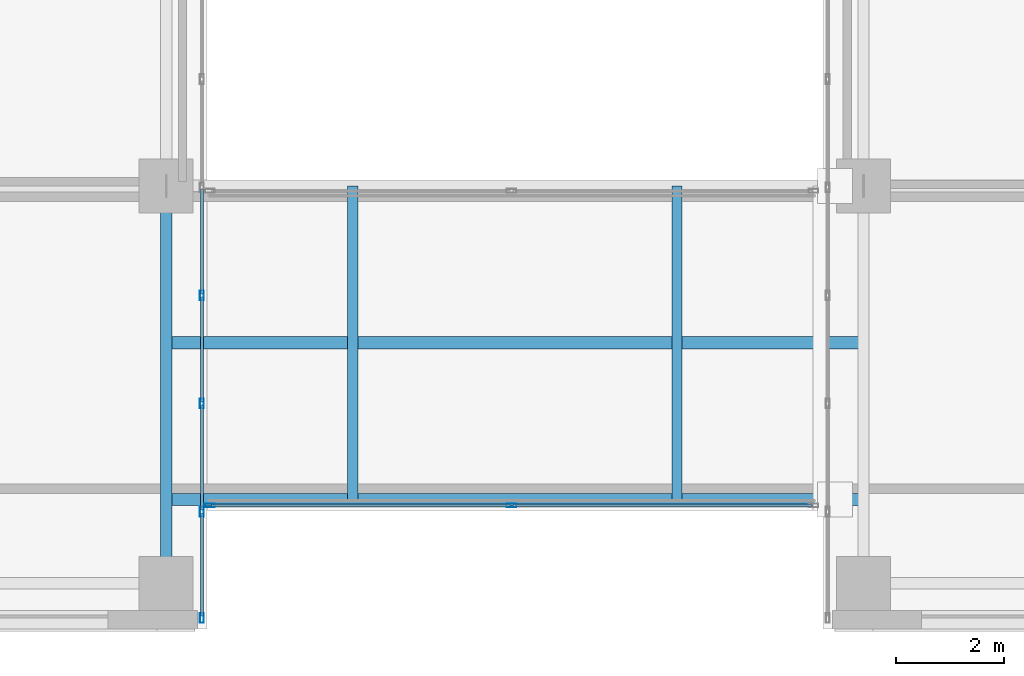
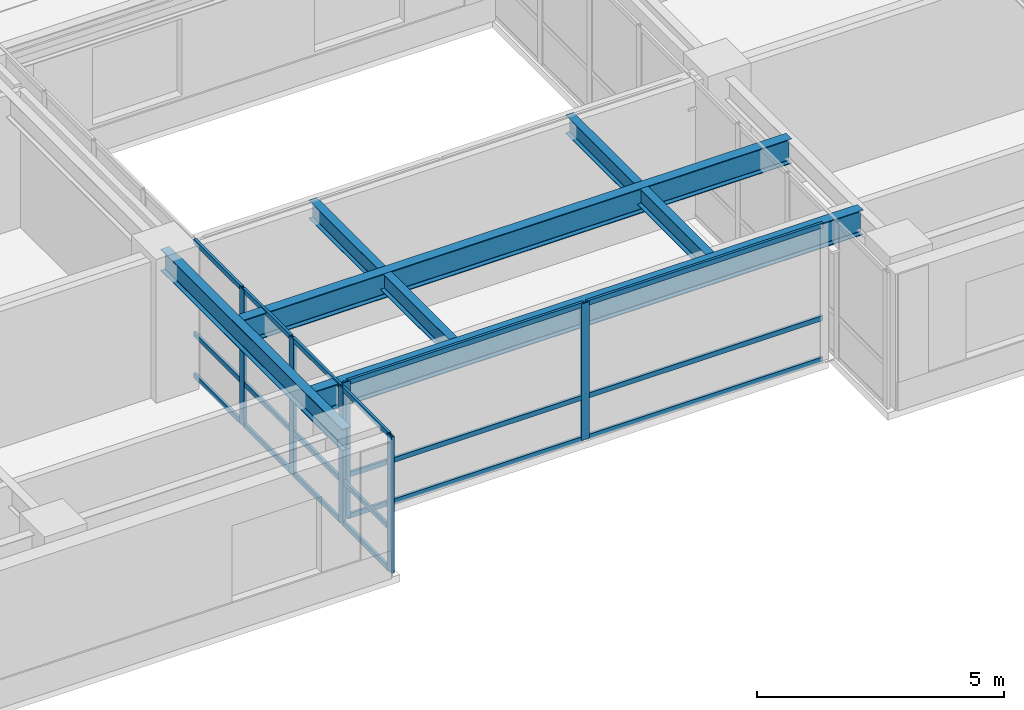
# One storey, part 2 of 31: 24 members, 5 beams, 2 elements without a shape of their own.
"""IFC4 building model written with IfcOpenShell, lengths in metres."""

from ifc_helpers import new_model, si_unit, direction, frame, origin, origin_2d, place, context, subcontext, project, spatial, hollow_rectangle, i_section, extrude, source, transform, mapped, material, layer, layer_set, material_profile, profile_set, type_object, type_shapes, element, aggregate, save


model = new_model("IFC4")

# Units and contexts
model_context = context("Model", 3, precision=1e-05, world=origin(), true_north=direction((0.0, 1.0)))
body_context = subcontext(model_context, "Body", "Model", "MODEL_VIEW")
ifc_project = project(units=[si_unit("LENGTHUNIT", "METRE"), si_unit("AREAUNIT", "SQUARE_METRE"), si_unit("VOLUMEUNIT", "CUBIC_METRE"), si_unit("PLANEANGLEUNIT", "RADIAN"), si_unit("MASSUNIT", "GRAM", prefix="KILO")], contexts=[model_context])

# Site, building, storey
site_placement = place(None, origin())
site = spatial("IfcSite", under=ifc_project, at=site_placement, CompositionType="ELEMENT")
building_placement = place(site_placement, origin())
building = spatial("IfcBuilding", under=site, at=building_placement, Name="Tolvann Quenvar Hotel", CompositionType="ELEMENT")
storey_placement = place(building_placement, frame((0.0, 0.0, 74.60009765625)))
storey = spatial("IfcBuildingStorey", under=building, at=storey_placement, Name="L18", CompositionType="ELEMENT", Elevation=74.60009765625)

# Beams
ifc_material_1 = material(Name="Steel Grade 350", Category="steel")
ifc_material_profile_1 = material_profile(ifc_material_1, i_section(OverallWidth=0.22900390625, OverallDepth=0.612060546875, WebThickness=0.011962890625, FlangeThickness=0.01953125, FilletRadius=0.013916015625, at=origin_2d()), Name="610UB125")
ifc_profile_set_1 = profile_set([ifc_material_profile_1], Name="Steel Grade 350")
beam_type_1 = type_object("IfcBeamType", Name="BM_GIRD_610UB125", PredefinedType="BEAM", material=ifc_profile_set_1)
shared_shape_1 = source(origin(), body_context, "Body", "SweptSolid", [
    extrude(i_section(OverallWidth=0.22900390625, OverallDepth=0.612060546875, WebThickness=0.011962890625, FlangeThickness=0.01953125, FilletRadius=0.013916015625, at=origin_2d()), origin(), (0.0, 0.0, 1.0), 12.89990234375),
])
type_shapes(beam_type_1, [shared_shape_1])
for number, where, z_axis, x_axis, name in (
    (1, (22.050048828125, 2.39990234375, 3.06396484375), (1.0, 0.0, 0.0), (0.0, 1.0, 0.0), "Skybridge Longitudinal Support Girder (L19-S)"),
    (2, (22.050048828125, 5.300048828125, 3.06396484375), (1.0, 0.0, 0.0), (0.0, 1.0, 0.0), "Skybridge Central Support Girder (L19-M)"),
):
    element("IfcBeam", number, at=place(storey_placement, frame(where, z_axis=z_axis, x_axis=x_axis)), inside=storey, type_object=beam_type_1, Name=name, PredefinedType="BEAM", context=body_context, shape_type="MappedRepresentation", body=[
        mapped(shared_shape_1, transform((0.0, 0.0, 0.0), x_axis=(1.0, 0.0, 0.0), y_axis=(0.0, 1.0, 0.0), z_axis=(0.0, 0.0, 1.0), scale=1.0)),
    ])
ifc_material_profile_2 = material_profile(ifc_material_1, i_section(OverallWidth=0.208984375, OverallDepth=0.532958984375, WebThickness=0.01025390625, FlangeThickness=0.015625, FilletRadius=0.013916015625, at=origin_2d()), Name="530UB92")
ifc_profile_set_2 = profile_set([ifc_material_profile_2], Name="Steel Grade 350")
beam_type_2 = type_object("IfcBeamType", Name="BM_GIRD_530UB92", PredefinedType="BEAM", material=ifc_profile_set_2)
shared_shape_2 = source(origin(), body_context, "Body", "SweptSolid", [
    extrude(i_section(OverallWidth=0.208984375, OverallDepth=0.532958984375, WebThickness=0.01025390625, FlangeThickness=0.015625, FilletRadius=0.013916015625, at=origin_2d()), origin(), (0.0, 0.0, 1.0), 7.349853515625),
])
type_shapes(beam_type_2, [shared_shape_2])
beam_placement = place(storey_placement, frame((22.050048828125, 0.85009765625, 3.103515625), z_axis=(0.0, 1.0, 0.0), x_axis=(-1.0, 0.0, 0.0)))
element("IfcBeam", 3, at=beam_placement, inside=storey, type_object=beam_type_2, Name="BM-L18-NS-E2-E3", PredefinedType="BEAM", context=body_context, shape_type="MappedRepresentation", body=[
    mapped(shared_shape_2, transform((0.0, 0.0, 0.0), x_axis=(1.0, 0.0, 0.0), y_axis=(0.0, 1.0, 0.0), z_axis=(0.0, 0.0, 1.0), scale=1.0)),
])
ifc_material_profile_3 = material_profile(ifc_material_1, i_section(OverallWidth=0.18994140625, OverallDepth=0.4541015625, WebThickness=0.008544921875, FlangeThickness=0.0126953125, FilletRadius=0.011474609375, at=origin_2d()), Name="460UB67")
ifc_profile_set_3 = profile_set([ifc_material_profile_3], Name="Steel Grade 350")
beam_type_3 = type_object("IfcBeamType", Name="BM_JOIST_460UB67", PredefinedType="JOIST", material=ifc_profile_set_3)
shared_shape_3 = source(origin(), body_context, "Body", "SweptSolid", [
    extrude(i_section(OverallWidth=0.18994140625, OverallDepth=0.4541015625, WebThickness=0.008544921875, FlangeThickness=0.0126953125, FilletRadius=0.011474609375, at=origin_2d()), origin(), (0.0, 0.0, 1.0), 5.800048828125),
])
type_shapes(beam_type_3, [shared_shape_3])
for number, where, z_axis, x_axis, name in (
    (4, (25.5, 2.39990234375, 3.142822265625), (0.0, 1.0, 0.0), (-1.0, 0.0, 0.0), "Skybridge Transverse Diaphragm Beam W (L19)"),
    (5, (31.5, 2.39990234375, 3.142822265625), (0.0, 1.0, 0.0), (-1.0, 0.0, 0.0), "Skybridge Transverse Diaphragm Beam E (L19)"),
):
    element("IfcBeam", number, at=place(storey_placement, frame(where, z_axis=z_axis, x_axis=x_axis)), inside=storey, type_object=beam_type_3, Name=name, PredefinedType="JOIST", context=body_context, shape_type="MappedRepresentation", body=[
        mapped(shared_shape_3, transform((0.0, 0.0, 0.0), x_axis=(1.0, 0.0, 0.0), y_axis=(0.0, 1.0, 0.0), z_axis=(0.0, 0.0, 1.0), scale=1.0)),
    ])

# Curtain wall, members
ifc_material_2 = material(Name="Thermally broken anodised architectural aluminium 6063-T6 and laminated low-E glass", Category="aluminium")
ifc_layer = layer(ifc_material_2, 0.179931640625)
ifc_layer_set = layer_set([ifc_layer], Name="Thermally broken anodised architectural aluminium 6063-T6 and laminated low-E glass")
curtain_wall_type = type_object("IfcCurtainWallType", Name="CW_SYS_SLOT_03", PredefinedType="USERDEFINED", material=ifc_layer_set)
curtain_wall_1_placement = place(storey_placement, origin())
curtain_wall_1 = element("IfcCurtainWall", 6, at=curtain_wall_1_placement, inside=storey, type_object=curtain_wall_type, Name="Curtain Wall CW-SLOT-03 (CWR-L18-E05)", ObjectType="UNITISED CURTAIN WALL", PredefinedType="USERDEFINED")
ifc_material_3 = material(Name="Anodised architectural aluminium 6063-T6 framing", Category="aluminium")
ifc_material_profile_4 = material_profile(ifc_material_3, hollow_rectangle(XDim=0.06005859375, YDim=0.1201171875, WallThickness=0.00341796875, at=origin_2d()), Name="120x60x3.5RHS")
ifc_profile_set_4 = profile_set([ifc_material_profile_4], Name="Anodised architectural aluminium 6063-T6 framing")
member_type_1 = type_object("IfcMemberType", Name="CW_TRAN_120x60", PredefinedType="USERDEFINED", material=ifc_profile_set_4)
shared_shape_4 = source(origin(), body_context, "Body", "SweptSolid", [
    extrude(hollow_rectangle(XDim=0.06005859375, YDim=0.1201171875, WallThickness=0.00341796875, at=origin_2d()), origin(), (0.0, 0.0, 1.0), 1.894775390625),
])
member_1_placement = place(storey_placement, frame((22.7099609375, 0.2451171875, 0.02978515625), z_axis=(0.0, 1.0, 0.0), x_axis=(-1.0, 0.0, 0.0)))
member_1 = element("IfcMember", 7, at=member_1_placement, type_object=member_type_1, Name="CW-SLOT-03 transom 1.1", ObjectType="TRANSOM", PredefinedType="USERDEFINED", context=body_context, shape_type="MappedRepresentation", body=[
    mapped(shared_shape_4, transform((0.0, 0.0, 0.0), x_axis=(1.0, 0.0, 0.0), y_axis=(0.0, 1.0, 0.0), z_axis=(0.0, 0.0, 1.0), scale=1.0)),
])
member_2_placement = place(storey_placement, frame((22.7099609375, 0.2451171875, 1.0498046875), z_axis=(0.0, 1.0, 0.0), x_axis=(-1.0, 0.0, 0.0)))
member_2 = element("IfcMember", 8, at=member_2_placement, type_object=member_type_1, Name="CW-SLOT-03 transom 1.2", ObjectType="TRANSOM", PredefinedType="USERDEFINED", context=body_context, shape_type="MappedRepresentation", body=[
    mapped(shared_shape_4, transform((0.0, 0.0, 0.0), x_axis=(1.0, 0.0, 0.0), y_axis=(0.0, 1.0, 0.0), z_axis=(0.0, 0.0, 1.0), scale=1.0)),
])
member_3_placement = place(storey_placement, frame((22.7099609375, 0.2451171875, 3.33984375), z_axis=(0.0, 1.0, 0.0), x_axis=(-1.0, 0.0, 0.0)))
member_3 = element("IfcMember", 9, at=member_3_placement, type_object=member_type_1, Name="CW-SLOT-03 transom 1.3", ObjectType="TRANSOM", PredefinedType="USERDEFINED", context=body_context, shape_type="MappedRepresentation", body=[
    mapped(shared_shape_4, transform((0.0, 0.0, 0.0), x_axis=(1.0, 0.0, 0.0), y_axis=(0.0, 1.0, 0.0), z_axis=(0.0, 0.0, 1.0), scale=1.0)),
])
shared_shape_5 = source(origin(), body_context, "Body", "SweptSolid", [
    extrude(hollow_rectangle(XDim=0.06005859375, YDim=0.1201171875, WallThickness=0.00341796875, at=origin_2d()), origin(), (0.0, 0.0, 1.0), 1.929931640625),
])
member_4_placement = place(storey_placement, frame((22.7099609375, 2.2099609375, 0.02978515625), z_axis=(0.0, 1.0, 0.0), x_axis=(-1.0, 0.0, 0.0)))
member_4 = element("IfcMember", 10, at=member_4_placement, type_object=member_type_1, Name="CW-SLOT-03 transom 2.1", ObjectType="TRANSOM", PredefinedType="USERDEFINED", context=body_context, shape_type="MappedRepresentation", body=[
    mapped(shared_shape_5, transform((0.0, 0.0, 0.0), x_axis=(1.0, 0.0, 0.0), y_axis=(0.0, 1.0, 0.0), z_axis=(0.0, 0.0, 1.0), scale=1.0)),
])
member_5_placement = place(storey_placement, frame((22.7099609375, 2.2099609375, 1.0498046875), z_axis=(0.0, 1.0, 0.0), x_axis=(-1.0, 0.0, 0.0)))
member_5 = element("IfcMember", 11, at=member_5_placement, type_object=member_type_1, Name="CW-SLOT-03 transom 2.2", ObjectType="TRANSOM", PredefinedType="USERDEFINED", context=body_context, shape_type="MappedRepresentation", body=[
    mapped(shared_shape_5, transform((0.0, 0.0, 0.0), x_axis=(1.0, 0.0, 0.0), y_axis=(0.0, 1.0, 0.0), z_axis=(0.0, 0.0, 1.0), scale=1.0)),
])
member_6_placement = place(storey_placement, frame((22.7099609375, 2.2099609375, 3.33984375), z_axis=(0.0, 1.0, 0.0), x_axis=(-1.0, 0.0, 0.0)))
member_6 = element("IfcMember", 12, at=member_6_placement, type_object=member_type_1, Name="CW-SLOT-03 transom 2.3", ObjectType="TRANSOM", PredefinedType="USERDEFINED", context=body_context, shape_type="MappedRepresentation", body=[
    mapped(shared_shape_5, transform((0.0, 0.0, 0.0), x_axis=(1.0, 0.0, 0.0), y_axis=(0.0, 1.0, 0.0), z_axis=(0.0, 0.0, 1.0), scale=1.0)),
])
member_7_placement = place(storey_placement, frame((22.7099609375, 4.2099609375, 0.02978515625), z_axis=(0.0, 1.0, 0.0), x_axis=(-1.0, 0.0, 0.0)))
member_7 = element("IfcMember", 13, at=member_7_placement, type_object=member_type_1, Name="CW-SLOT-03 transom 3.1", ObjectType="TRANSOM", PredefinedType="USERDEFINED", context=body_context, shape_type="MappedRepresentation", body=[
    mapped(shared_shape_5, transform((0.0, 0.0, 0.0), x_axis=(1.0, 0.0, 0.0), y_axis=(0.0, 1.0, 0.0), z_axis=(0.0, 0.0, 1.0), scale=1.0)),
])
member_8_placement = place(storey_placement, frame((22.7099609375, 4.2099609375, 1.0498046875), z_axis=(0.0, 1.0, 0.0), x_axis=(-1.0, 0.0, 0.0)))
member_8 = element("IfcMember", 14, at=member_8_placement, type_object=member_type_1, Name="CW-SLOT-03 transom 3.2", ObjectType="TRANSOM", PredefinedType="USERDEFINED", context=body_context, shape_type="MappedRepresentation", body=[
    mapped(shared_shape_5, transform((0.0, 0.0, 0.0), x_axis=(1.0, 0.0, 0.0), y_axis=(0.0, 1.0, 0.0), z_axis=(0.0, 0.0, 1.0), scale=1.0)),
])
member_9_placement = place(storey_placement, frame((22.7099609375, 4.2099609375, 3.33984375), z_axis=(0.0, 1.0, 0.0), x_axis=(-1.0, 0.0, 0.0)))
member_9 = element("IfcMember", 15, at=member_9_placement, type_object=member_type_1, Name="CW-SLOT-03 transom 3.3", ObjectType="TRANSOM", PredefinedType="USERDEFINED", context=body_context, shape_type="MappedRepresentation", body=[
    mapped(shared_shape_5, transform((0.0, 0.0, 0.0), x_axis=(1.0, 0.0, 0.0), y_axis=(0.0, 1.0, 0.0), z_axis=(0.0, 0.0, 1.0), scale=1.0)),
])
member_10_placement = place(storey_placement, frame((22.7099609375, 6.2099609375, 0.02978515625), z_axis=(0.0, 1.0, 0.0), x_axis=(-1.0, 0.0, 0.0)))
member_10 = element("IfcMember", 16, at=member_10_placement, type_object=member_type_1, Name="CW-SLOT-03 transom 4.1", ObjectType="TRANSOM", PredefinedType="USERDEFINED", context=body_context, shape_type="MappedRepresentation", body=[
    mapped(shared_shape_5, transform((0.0, 0.0, 0.0), x_axis=(1.0, 0.0, 0.0), y_axis=(0.0, 1.0, 0.0), z_axis=(0.0, 0.0, 1.0), scale=1.0)),
])
member_11_placement = place(storey_placement, frame((22.7099609375, 6.2099609375, 1.0498046875), z_axis=(0.0, 1.0, 0.0), x_axis=(-1.0, 0.0, 0.0)))
member_11 = element("IfcMember", 17, at=member_11_placement, type_object=member_type_1, Name="CW-SLOT-03 transom 4.2", ObjectType="TRANSOM", PredefinedType="USERDEFINED", context=body_context, shape_type="MappedRepresentation", body=[
    mapped(shared_shape_5, transform((0.0, 0.0, 0.0), x_axis=(1.0, 0.0, 0.0), y_axis=(0.0, 1.0, 0.0), z_axis=(0.0, 0.0, 1.0), scale=1.0)),
])
member_12_placement = place(storey_placement, frame((22.7099609375, 6.2099609375, 3.33984375), z_axis=(0.0, 1.0, 0.0), x_axis=(-1.0, 0.0, 0.0)))
member_12 = element("IfcMember", 18, at=member_12_placement, type_object=member_type_1, Name="CW-SLOT-03 transom 4.3", ObjectType="TRANSOM", PredefinedType="USERDEFINED", context=body_context, shape_type="MappedRepresentation", body=[
    mapped(shared_shape_5, transform((0.0, 0.0, 0.0), x_axis=(1.0, 0.0, 0.0), y_axis=(0.0, 1.0, 0.0), z_axis=(0.0, 0.0, 1.0), scale=1.0)),
])
ifc_material_profile_5 = material_profile(ifc_material_3, hollow_rectangle(XDim=0.070068359375, YDim=0.179931640625, WallThickness=0.00390625, at=origin_2d()), Name="180x70x4RHS")
ifc_profile_set_5 = profile_set([ifc_material_profile_5], Name="Anodised architectural aluminium 6063-T6 framing")
member_type_2 = type_object("IfcMemberType", Name="CW_MULL_180x70", PredefinedType="MULLION", material=ifc_profile_set_5)
shared_shape_6 = source(origin(), body_context, "Body", "SweptSolid", [
    extrude(hollow_rectangle(XDim=0.070068359375, YDim=0.179931640625, WallThickness=0.00390625, at=origin_2d()), origin(), (0.0, 0.0, 1.0), 3.369873046875),
])
type_shapes(member_type_2, [shared_shape_6])
member_13_placement = place(storey_placement, frame((22.7099609375, 0.2099609375, 0.0), z_axis=(0.0, 0.0, 1.0), x_axis=(-1.0, 0.0, 0.0)))
member_13 = element("IfcMember", 19, at=member_13_placement, type_object=member_type_2, Name="CW-SLOT-03 mullion 1", PredefinedType="MULLION", context=body_context, shape_type="MappedRepresentation", body=[
    mapped(shared_shape_6, transform((0.0, 0.0, 0.0), x_axis=(1.0, 0.0, 0.0), y_axis=(0.0, 1.0, 0.0), z_axis=(0.0, 0.0, 1.0), scale=1.0)),
])
member_14_placement = place(storey_placement, frame((22.7099609375, 2.175048828125, 0.0), z_axis=(0.0, 0.0, 1.0), x_axis=(-1.0, 0.0, 0.0)))
member_14 = element("IfcMember", 20, at=member_14_placement, type_object=member_type_2, Name="CW-SLOT-03 mullion 2", PredefinedType="MULLION", context=body_context, shape_type="MappedRepresentation", body=[
    mapped(shared_shape_6, transform((0.0, 0.0, 0.0), x_axis=(1.0, 0.0, 0.0), y_axis=(0.0, 1.0, 0.0), z_axis=(0.0, 0.0, 1.0), scale=1.0)),
])
member_15_placement = place(storey_placement, frame((22.7099609375, 4.175048828125, 0.0), z_axis=(0.0, 0.0, 1.0), x_axis=(-1.0, 0.0, 0.0)))
member_15 = element("IfcMember", 21, at=member_15_placement, type_object=member_type_2, Name="CW-SLOT-03 mullion 3", PredefinedType="MULLION", context=body_context, shape_type="MappedRepresentation", body=[
    mapped(shared_shape_6, transform((0.0, 0.0, 0.0), x_axis=(1.0, 0.0, 0.0), y_axis=(0.0, 1.0, 0.0), z_axis=(0.0, 0.0, 1.0), scale=1.0)),
])
member_16_placement = place(storey_placement, frame((22.7099609375, 6.175048828125, 0.0), z_axis=(0.0, 0.0, 1.0), x_axis=(-1.0, 0.0, 0.0)))
member_16 = element("IfcMember", 22, at=member_16_placement, type_object=member_type_2, Name="CW-SLOT-03 mullion 4", PredefinedType="MULLION", context=body_context, shape_type="MappedRepresentation", body=[
    mapped(shared_shape_6, transform((0.0, 0.0, 0.0), x_axis=(1.0, 0.0, 0.0), y_axis=(0.0, 1.0, 0.0), z_axis=(0.0, 0.0, 1.0), scale=1.0)),
])
aggregate(curtain_wall_1, [member_13, member_14, member_15, member_16, member_1, member_2, member_3, member_4, member_5, member_6, member_7, member_8, member_9, member_10, member_11, member_12])

curtain_wall_2_placement = place(storey_placement, origin())
curtain_wall_2 = element("IfcCurtainWall", 23, at=curtain_wall_2_placement, inside=storey, type_object=curtain_wall_type, Name="Curtain Wall CW-SLOT-03 (CWR-BRG-L18-S)", ObjectType="UNITISED CURTAIN WALL", PredefinedType="USERDEFINED")
member_17_placement = place(storey_placement, frame((22.85498046875, 2.2900390625, 0.0), z_axis=(0.0, 0.0, 1.0), x_axis=(0.0, 1.0, 0.0)))
member_17 = element("IfcMember", 24, at=member_17_placement, type_object=member_type_2, Name="CW-SLOT-03 mullion 1", PredefinedType="MULLION", context=body_context, shape_type="MappedRepresentation", body=[
    mapped(shared_shape_6, transform((0.0, 0.0, 0.0), x_axis=(1.0, 0.0, 0.0), y_axis=(0.0, 1.0, 0.0), z_axis=(0.0, 0.0, 1.0), scale=1.0)),
])
member_18_placement = place(storey_placement, frame((28.43994140625, 2.2900390625, 0.0), z_axis=(0.0, 0.0, 1.0), x_axis=(0.0, 1.0, 0.0)))
member_18 = element("IfcMember", 25, at=member_18_placement, type_object=member_type_2, Name="CW-SLOT-03 mullion 2", PredefinedType="MULLION", context=body_context, shape_type="MappedRepresentation", body=[
    mapped(shared_shape_6, transform((0.0, 0.0, 0.0), x_axis=(1.0, 0.0, 0.0), y_axis=(0.0, 1.0, 0.0), z_axis=(0.0, 0.0, 1.0), scale=1.0)),
])
shared_shape_7 = source(origin(), body_context, "Body", "SweptSolid", [
    extrude(hollow_rectangle(XDim=0.06005859375, YDim=0.1201171875, WallThickness=0.00341796875, at=origin_2d()), origin(), (0.0, 0.0, 1.0), 5.51513671875),
])
member_19_placement = place(storey_placement, frame((22.889892578125, 2.2900390625, 0.02978515625), z_axis=(1.0, 0.0, 0.0), x_axis=(0.0, 1.0, 0.0)))
member_19 = element("IfcMember", 26, at=member_19_placement, type_object=member_type_1, Name="CW-SLOT-03 transom 1.1", ObjectType="TRANSOM", PredefinedType="USERDEFINED", context=body_context, shape_type="MappedRepresentation", body=[
    mapped(shared_shape_7, transform((0.0, 0.0, 0.0), x_axis=(1.0, 0.0, 0.0), y_axis=(0.0, 1.0, 0.0), z_axis=(0.0, 0.0, 1.0), scale=1.0)),
])
member_20_placement = place(storey_placement, frame((22.889892578125, 2.2900390625, 1.0498046875), z_axis=(1.0, 0.0, 0.0), x_axis=(0.0, 1.0, 0.0)))
member_20 = element("IfcMember", 27, at=member_20_placement, type_object=member_type_1, Name="CW-SLOT-03 transom 1.2", ObjectType="TRANSOM", PredefinedType="USERDEFINED", context=body_context, shape_type="MappedRepresentation", body=[
    mapped(shared_shape_7, transform((0.0, 0.0, 0.0), x_axis=(1.0, 0.0, 0.0), y_axis=(0.0, 1.0, 0.0), z_axis=(0.0, 0.0, 1.0), scale=1.0)),
])
member_21_placement = place(storey_placement, frame((22.889892578125, 2.2900390625, 3.33984375), z_axis=(1.0, 0.0, 0.0), x_axis=(0.0, 1.0, 0.0)))
member_21 = element("IfcMember", 28, at=member_21_placement, type_object=member_type_1, Name="CW-SLOT-03 transom 1.3", ObjectType="TRANSOM", PredefinedType="USERDEFINED", context=body_context, shape_type="MappedRepresentation", body=[
    mapped(shared_shape_7, transform((0.0, 0.0, 0.0), x_axis=(1.0, 0.0, 0.0), y_axis=(0.0, 1.0, 0.0), z_axis=(0.0, 0.0, 1.0), scale=1.0)),
])
shared_shape_8 = source(origin(), body_context, "Body", "SweptSolid", [
    extrude(hollow_rectangle(XDim=0.06005859375, YDim=0.1201171875, WallThickness=0.00341796875, at=origin_2d()), origin(), (0.0, 0.0, 1.0), 5.514892578125),
])
type_shapes(member_type_1, [shared_shape_4, shared_shape_5, shared_shape_7, shared_shape_8])
member_22_placement = place(storey_placement, frame((28.47509765625, 2.2900390625, 0.02978515625), z_axis=(1.0, 0.0, 0.0), x_axis=(0.0, 1.0, 0.0)))
member_22 = element("IfcMember", 29, at=member_22_placement, type_object=member_type_1, Name="CW-SLOT-03 transom 2.1", ObjectType="TRANSOM", PredefinedType="USERDEFINED", context=body_context, shape_type="MappedRepresentation", body=[
    mapped(shared_shape_8, transform((0.0, 0.0, 0.0), x_axis=(1.0, 0.0, 0.0), y_axis=(0.0, 1.0, 0.0), z_axis=(0.0, 0.0, 1.0), scale=1.0)),
])
member_23_placement = place(storey_placement, frame((28.47509765625, 2.2900390625, 1.0498046875), z_axis=(1.0, 0.0, 0.0), x_axis=(0.0, 1.0, 0.0)))
member_23 = element("IfcMember", 30, at=member_23_placement, type_object=member_type_1, Name="CW-SLOT-03 transom 2.2", ObjectType="TRANSOM", PredefinedType="USERDEFINED", context=body_context, shape_type="MappedRepresentation", body=[
    mapped(shared_shape_8, transform((0.0, 0.0, 0.0), x_axis=(1.0, 0.0, 0.0), y_axis=(0.0, 1.0, 0.0), z_axis=(0.0, 0.0, 1.0), scale=1.0)),
])
member_24_placement = place(storey_placement, frame((28.47509765625, 2.2900390625, 3.33984375), z_axis=(1.0, 0.0, 0.0), x_axis=(0.0, 1.0, 0.0)))
member_24 = element("IfcMember", 31, at=member_24_placement, type_object=member_type_1, Name="CW-SLOT-03 transom 2.3", ObjectType="TRANSOM", PredefinedType="USERDEFINED", context=body_context, shape_type="MappedRepresentation", body=[
    mapped(shared_shape_8, transform((0.0, 0.0, 0.0), x_axis=(1.0, 0.0, 0.0), y_axis=(0.0, 1.0, 0.0), z_axis=(0.0, 0.0, 1.0), scale=1.0)),
])
aggregate(curtain_wall_2, [member_17, member_18, member_19, member_20, member_21, member_22, member_23, member_24])

save(model, "model.ifc")
